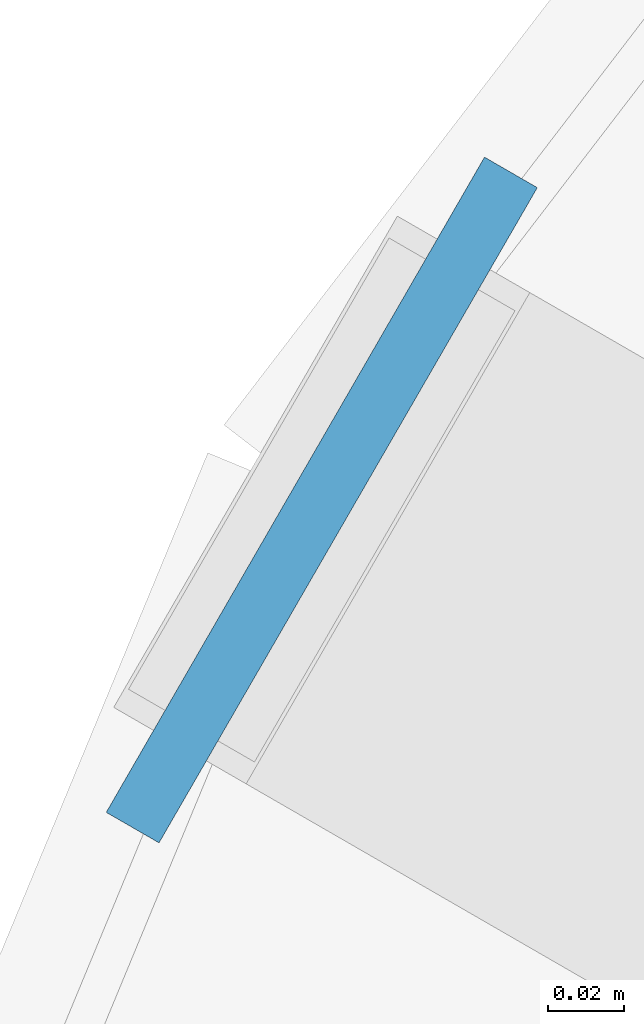
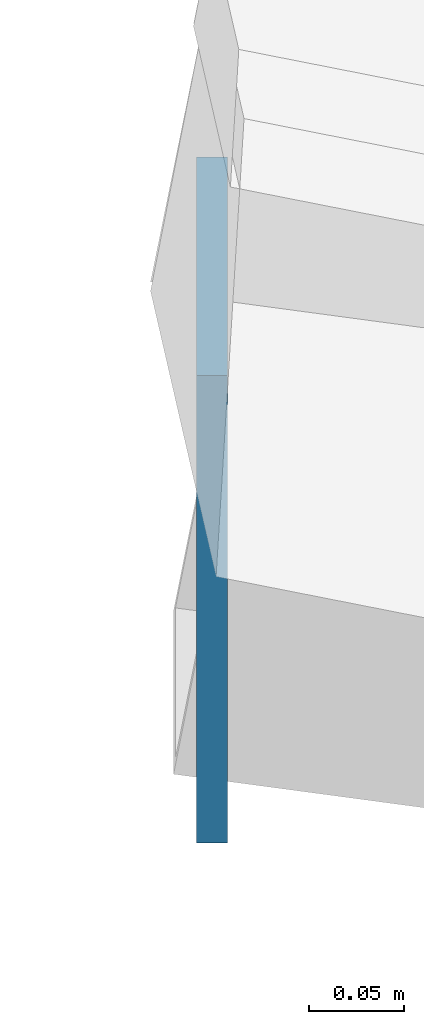
# One storey, part 74 of 93: 1 plate.
"""IFC4 building model written with IfcOpenShell, lengths in metres."""

from ifc_helpers import new_model, si_unit, direction, frame, origin, origin_2d, place, context, subcontext, project, spatial, rectangle, extrude, material, layer, layer_set, type_object, element, save


model = new_model("IFC4")

# Units and contexts
model_context = context("Model", 3, precision=1e-05, world=origin(), true_north=direction((0.0, 1.0)))
body_context = subcontext(model_context, "Body", "Model", "MODEL_VIEW")
ifc_project = project(units=[si_unit("LENGTHUNIT", "METRE"), si_unit("AREAUNIT", "SQUARE_METRE"), si_unit("VOLUMEUNIT", "CUBIC_METRE"), si_unit("PLANEANGLEUNIT", "RADIAN"), si_unit("MASSUNIT", "GRAM", prefix="KILO")], contexts=[model_context])

# Site, building, storey
site_placement = place(None, origin())
site = spatial("IfcSite", under=ifc_project, at=site_placement, CompositionType="ELEMENT")
building_placement = place(site_placement, origin())
building = spatial("IfcBuilding", under=site, at=building_placement, Name="Vondelvale Polytechnic", CompositionType="ELEMENT")
storey_placement = place(building_placement, frame((0.0, 0.0, 18.0)))
storey = spatial("IfcBuildingStorey", under=building, at=storey_placement, Name="L04", CompositionType="ELEMENT", Elevation=18.0)

# Plate
ifc_material = material(Name="Steel Grade 350 (fy = 340 MPa)", Category="steel")
ifc_layer = layer(ifc_material, 0.01611328125)
ifc_layer_set = layer_set([ifc_layer], Name="PLATE-CAP-300x200")
plate_type = type_object("IfcPlateType", Name="PLATE-CAP-300x200", PredefinedType="USERDEFINED", material=ifc_layer_set)
plate_placement = place(storey_placement, frame((59.9111328125, 96.300048828125, 3.61572265625), z_axis=(0.0, 0.0, 1.0), x_axis=(0.866025403784, -0.5, 0.0)))
element("IfcPlate", 1, at=plate_placement, inside=storey, type_object=plate_type, Name="Ring rafter hollow end cap plate 10O", ObjectType="CAP_PLATE", PredefinedType="USERDEFINED", context=body_context, shape_type="SweptSolid", body=[
    extrude(rectangle(XDim=0.01611328125, YDim=0.199951171875, at=origin_2d()), origin(), (0.0, 0.0, 1.0), 0.300048828125),
])

save(model, "model.ifc")
